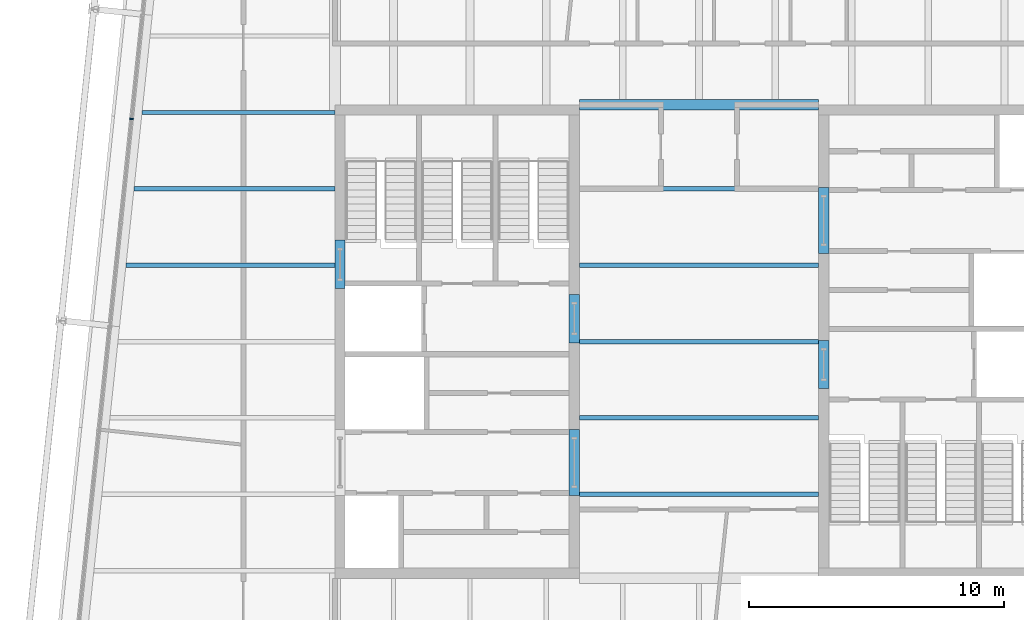
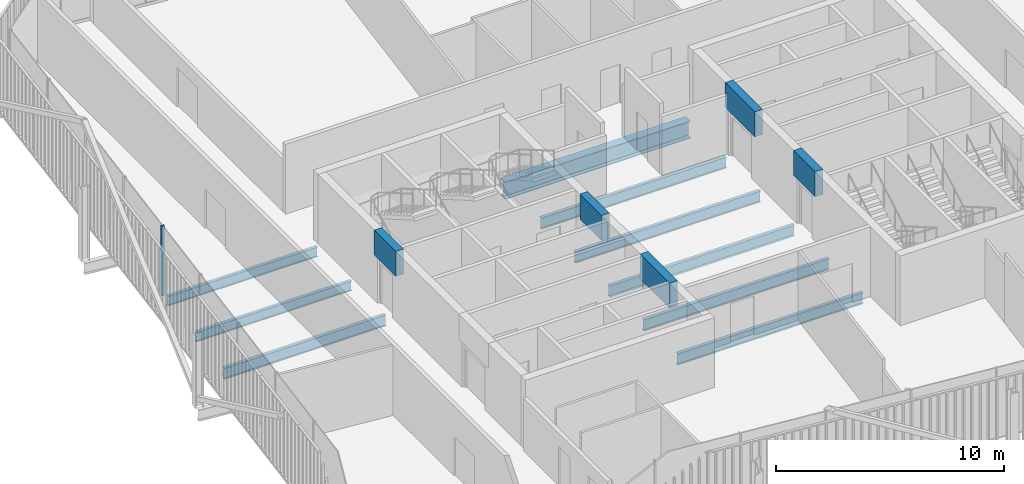
# One storey, part 8 of 21: 14 beams, 1 member, 1 element without a shape of its own.
"""IFC4 building model written with IfcOpenShell, lengths in metres."""

from ifc_helpers import new_model, si_unit, direction, frame, origin, origin_2d, place, context, subcontext, project, spatial, rectangle, i_section, extrude, material, layer, layer_set, material_profile, profile_set, type_object, element, aggregate, save


model = new_model("IFC4")

# Units and contexts
model_context = context("Model", 3, precision=1e-05, world=origin(), true_north=direction((0.0, 1.0)))
body_context = subcontext(model_context, "Body", "Model", "MODEL_VIEW")
ifc_project = project(units=[si_unit("LENGTHUNIT", "METRE"), si_unit("AREAUNIT", "SQUARE_METRE"), si_unit("VOLUMEUNIT", "CUBIC_METRE"), si_unit("PLANEANGLEUNIT", "RADIAN"), si_unit("MASSUNIT", "GRAM", prefix="KILO")], contexts=[model_context])

# Site, building, storey
site_placement = place(None, origin())
site = spatial("IfcSite", under=ifc_project, at=site_placement, CompositionType="ELEMENT")
building_placement = place(site_placement, origin())
building = spatial("IfcBuilding", under=site, at=building_placement, Name="Millrace Tower", CompositionType="ELEMENT")
storey_placement = place(building_placement, frame((0.0, 0.0, 318.699951171875)))
storey = spatial("IfcBuildingStorey", under=building, at=storey_placement, Name="L73", CompositionType="ELEMENT", Elevation=318.699951171875)

# Curtain wall, member
ifc_material_1 = material(Name="Aluminium and glass", Category="aluminium")
ifc_layer = layer(ifc_material_1, 0.14990234375)
ifc_layer_set = layer_set([ifc_layer], Name="Aluminium and glass")
curtain_wall_type = type_object("IfcCurtainWallType", Name="CW-1 office vision curtain wall", PredefinedType="NOTDEFINED", material=ifc_layer_set)
curtain_wall_placement = place(storey_placement, origin())
curtain_wall = element("IfcCurtainWall", 1, at=curtain_wall_placement, inside=storey, type_object=curtain_wall_type, Name="Curtain wall E-F08 L73", PredefinedType="NOTDEFINED")
ifc_material_2 = material(Name="Aluminium", Category="aluminium")
ifc_material_profile_1 = material_profile(ifc_material_2, rectangle(XDim=0.06494140625, YDim=0.14990234375, at=origin_2d()))
ifc_profile_set_1 = profile_set([ifc_material_profile_1], Name="Aluminium")
member_type = type_object("IfcMemberType", Name="CW-1 office vision curtain wall mullion", PredefinedType="MULLION", material=ifc_profile_set_1)
member_placement = place(storey_placement, frame((-22.2890625, 8.742431640625, 0.14013671875), z_axis=(0.0, 0.0, 1.0), x_axis=(-0.104528455196, -0.994521896217, 0.0)))
member = element("IfcMember", 2, at=member_placement, type_object=member_type, Name="CW1 mullion E-F08.5", PredefinedType="MULLION", context=body_context, shape_type="SweptSolid", body=[
    extrude(rectangle(XDim=0.06494140625, YDim=0.14990234375, at=origin_2d()), origin(), (0.0, 0.0, 1.0), 3.760009765625),
])
aggregate(curtain_wall, [member])

# Beams
ifc_material_3 = material(Name="Concrete C60", Category="concrete")
ifc_material_profile_2 = material_profile(ifc_material_3, rectangle(XDim=0.39990234375, YDim=1.340087890625, at=origin_2d()))
ifc_profile_set_2 = profile_set([ifc_material_profile_2], Name="Concrete C60")
beam_type_1 = type_object("IfcBeamType", Name="Coupling beam 400 x 1340 Concrete C60, 1300 opening", PredefinedType="BEAM", material=ifc_profile_set_2)
beam_1_placement = place(storey_placement, frame((-14.10009765625, 2.080078125, 3.070068359375), z_axis=(0.0, 1.0, 0.0), x_axis=(-1.0, 0.0, 0.0)))
element("IfcBeam", 3, at=beam_1_placement, inside=storey, type_object=beam_type_1, Name="Coupling beam W L73", PredefinedType="BEAM", context=body_context, shape_type="SweptSolid", body=[
    extrude(rectangle(XDim=0.39990234375, YDim=1.340087890625, at=origin_2d()), origin(), (0.0, 0.0, 1.0), 1.89990234375),
])
for number, where, z_axis, x_axis, name in (
    (4, (-4.89990234375, -0.050048828125, 3.070068359375), (0.0, 1.0, 0.0), (-1.0, 0.0, 0.0), "Coupling beam W L73"),
    (5, (4.89990234375, 0.050048828125, 3.070068359375), (0.0, -1.0, 0.0), (1.0, 0.0, 0.0), "Coupling beam E L73"),
):
    element("IfcBeam", number, at=place(storey_placement, frame(where, z_axis=z_axis, x_axis=x_axis)), inside=storey, type_object=beam_type_1, Name=name, PredefinedType="BEAM", context=body_context, shape_type="SweptSolid", body=[
        extrude(rectangle(XDim=0.39990234375, YDim=1.340087890625, at=origin_2d()), origin(), (0.0, 0.0, 1.0), 1.900146484375),
    ])
ifc_material_4 = material(Name="Concrete C60", Category="concrete")
ifc_material_profile_3 = material_profile(ifc_material_4, rectangle(XDim=0.39990234375, YDim=1.340087890625, at=origin_2d()))
ifc_profile_set_3 = profile_set([ifc_material_profile_3], Name="Concrete C60")
beam_type_2 = type_object("IfcBeamType", Name="Coupling beam 400 x 1340 Concrete C60, 2000 opening", PredefinedType="BEAM", material=ifc_profile_set_3)
for number, where, z_axis, x_axis, name in (
    (6, (-4.89990234375, -6.050048828125, 3.070068359375), (0.0, 1.0, 0.0), (-1.0, 0.0, 0.0), "Coupling beam W L73"),
    (7, (4.89990234375, 6.050048828125, 3.070068359375), (0.0, -1.0, 0.0), (1.0, 0.0, 0.0), "Coupling beam E L73"),
):
    element("IfcBeam", number, at=place(storey_placement, frame(where, z_axis=z_axis, x_axis=x_axis)), inside=storey, type_object=beam_type_2, Name=name, PredefinedType="BEAM", context=body_context, shape_type="SweptSolid", body=[
        extrude(rectangle(XDim=0.39990234375, YDim=1.340087890625, at=origin_2d()), origin(), (0.0, 0.0, 1.0), 2.60009765625),
    ])
ifc_material_5 = material(Name="Steel ASTM A992 Grade 50", Category="steel")
ifc_material_profile_4 = material_profile(ifc_material_5, i_section(OverallWidth=0.1650390625, OverallDepth=0.52587890625, WebThickness=0.0087890625, FlangeThickness=0.011474609375, FilletRadius=0.0126953125, at=origin_2d()))
ifc_profile_set_4 = profile_set([ifc_material_profile_4], Name="Steel ASTM A992 Grade 50")
beam_type_3 = type_object("IfcBeamType", Name="Floor beam W21x44", PredefinedType="JOIST", material=ifc_profile_set_4)
beam_2_placement = place(storey_placement, frame((-22.19287109375, 6.0, -0.4228515625), z_axis=(1.0, 0.0, 0.0), x_axis=(0.0, 1.0, 0.0)))
element("IfcBeam", 8, at=beam_2_placement, inside=storey, type_object=beam_type_3, Name="BM-E-L73-S1-S021", PredefinedType="JOIST", context=body_context, shape_type="SweptSolid", body=[
    extrude(i_section(OverallWidth=0.1650390625, OverallDepth=0.52587890625, WebThickness=0.0087890625, FlangeThickness=0.011474609375, FilletRadius=0.0126953125, at=origin_2d()), origin(), (0.0, 0.0, 1.0), 7.892822265625),
])
beam_3_placement = place(storey_placement, frame((-21.87744140625, 9.0, -0.4228515625), z_axis=(1.0, 0.0, 0.0), x_axis=(0.0, 1.0, 0.0)))
element("IfcBeam", 9, at=beam_3_placement, inside=storey, type_object=beam_type_3, Name="BM-E-L73-S1-S023", PredefinedType="JOIST", context=body_context, shape_type="SweptSolid", body=[
    extrude(i_section(OverallWidth=0.1650390625, OverallDepth=0.52587890625, WebThickness=0.0087890625, FlangeThickness=0.011474609375, FilletRadius=0.0126953125, at=origin_2d()), origin(), (0.0, 0.0, 1.0), 7.577392578125),
])
ifc_material_6 = material(Name="Steel ASTM A992 Grade 50", Category="steel")
ifc_material_profile_5 = material_profile(ifc_material_6, i_section(OverallWidth=0.177978515625, OverallDepth=0.599365234375, WebThickness=0.010009765625, FlangeThickness=0.012939453125, FilletRadius=0.012939453125, at=origin_2d()))
ifc_profile_set_5 = profile_set([ifc_material_profile_5], Name="Steel ASTM A992 Grade 50")
beam_type_4 = type_object("IfcBeamType", Name="Floor beam W24x55", PredefinedType="JOIST", material=ifc_profile_set_5)
for number, where, z_axis, x_axis, name in (
    (10, (-4.699951171875, -6.0, -0.459716796875), (1.0, 0.0, 0.0), (0.0, 1.0, 0.0), "BM-E-L73-S1-S008"),
    (11, (-4.699951171875, -3.0, -0.459716796875), (1.0, 0.0, 0.0), (0.0, 1.0, 0.0), "BM-E-L73-S1-S011"),
    (12, (-4.699951171875, 0.0, -0.459716796875), (1.0, 0.0, 0.0), (0.0, 1.0, 0.0), "BM-E-L73-S1-S014"),
    (13, (-4.699951171875, 3.0, -0.459716796875), (1.0, 0.0, 0.0), (0.0, 1.0, 0.0), "BM-E-L73-S1-S017"),
):
    element("IfcBeam", number, at=place(storey_placement, frame(where, z_axis=z_axis, x_axis=x_axis)), inside=storey, type_object=beam_type_4, Name=name, PredefinedType="JOIST", context=body_context, shape_type="SweptSolid", body=[
        extrude(i_section(OverallWidth=0.177978515625, OverallDepth=0.599365234375, WebThickness=0.010009765625, FlangeThickness=0.012939453125, FilletRadius=0.012939453125, at=origin_2d()), origin(), (0.0, 0.0, 1.0), 9.39990234375),
    ])
beam_4_placement = place(storey_placement, frame((-22.508056640625, 3.0, -0.459716796875), z_axis=(1.0, 0.0, 0.0), x_axis=(0.0, 1.0, 0.0)))
element("IfcBeam", 14, at=beam_4_placement, inside=storey, type_object=beam_type_4, Name="BM-E-L73-S1-S018", PredefinedType="JOIST", context=body_context, shape_type="SweptSolid", body=[
    extrude(i_section(OverallWidth=0.177978515625, OverallDepth=0.599365234375, WebThickness=0.010009765625, FlangeThickness=0.012939453125, FilletRadius=0.012939453125, at=origin_2d()), origin(), (0.0, 0.0, 1.0), 8.2080078125),
])
beam_5_placement = place(storey_placement, frame((-4.699951171875, 6.0, -0.459716796875), z_axis=(1.0, 0.0, 0.0), x_axis=(0.0, 1.0, 0.0)))
element("IfcBeam", 15, at=beam_5_placement, inside=storey, type_object=beam_type_4, Name="BM-E-L73-S1-S020", PredefinedType="JOIST", context=body_context, shape_type="SweptSolid", body=[
    extrude(i_section(OverallWidth=0.177978515625, OverallDepth=0.599365234375, WebThickness=0.010009765625, FlangeThickness=0.012939453125, FilletRadius=0.012939453125, at=origin_2d()), origin(), (0.0, 0.0, 1.0), 9.39990234375),
])
ifc_material_7 = material(Name="Steel ASTM A992 Grade 50", Category="steel")
ifc_material_profile_6 = material_profile(ifc_material_7, i_section(OverallWidth=0.419189453125, OverallDepth=0.927001953125, WebThickness=0.019287109375, FlangeThickness=0.031982421875, FilletRadius=0.024169921875, at=origin_2d()))
ifc_profile_set_6 = profile_set([ifc_material_profile_6], Name="Steel ASTM A992 Grade 50")
beam_type_5 = type_object("IfcBeamType", Name="Girder short span W36x231", PredefinedType="BEAM", material=ifc_profile_set_6)
beam_6_placement = place(storey_placement, frame((-4.699951171875, 9.300048828125, -0.62353515625), z_axis=(1.0, 0.0, 0.0), x_axis=(0.0, 1.0, 0.0)))
element("IfcBeam", 16, at=beam_6_placement, inside=storey, type_object=beam_type_5, Name="BM-E-L73-S1-G058", PredefinedType="BEAM", context=body_context, shape_type="SweptSolid", body=[
    extrude(i_section(OverallWidth=0.419189453125, OverallDepth=0.927001953125, WebThickness=0.019287109375, FlangeThickness=0.031982421875, FilletRadius=0.024169921875, at=origin_2d()), origin(), (0.0, 0.0, 1.0), 9.39990234375),
])

save(model, "model.ifc")
